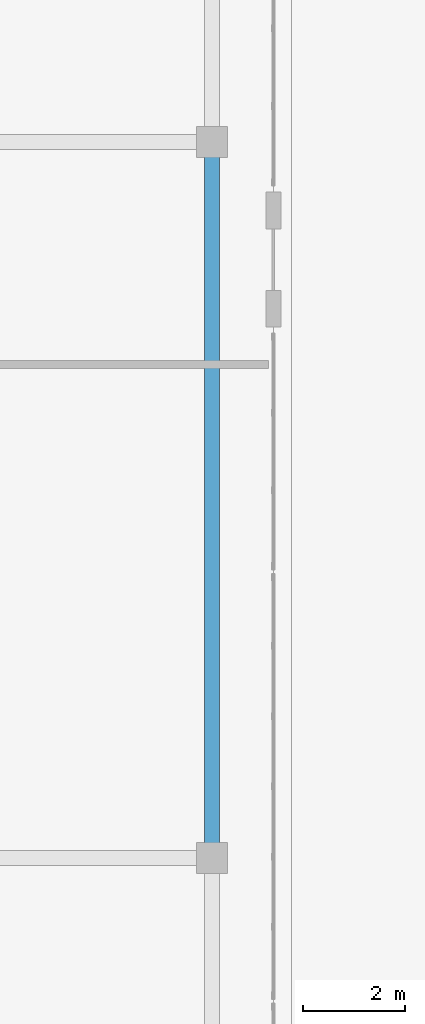
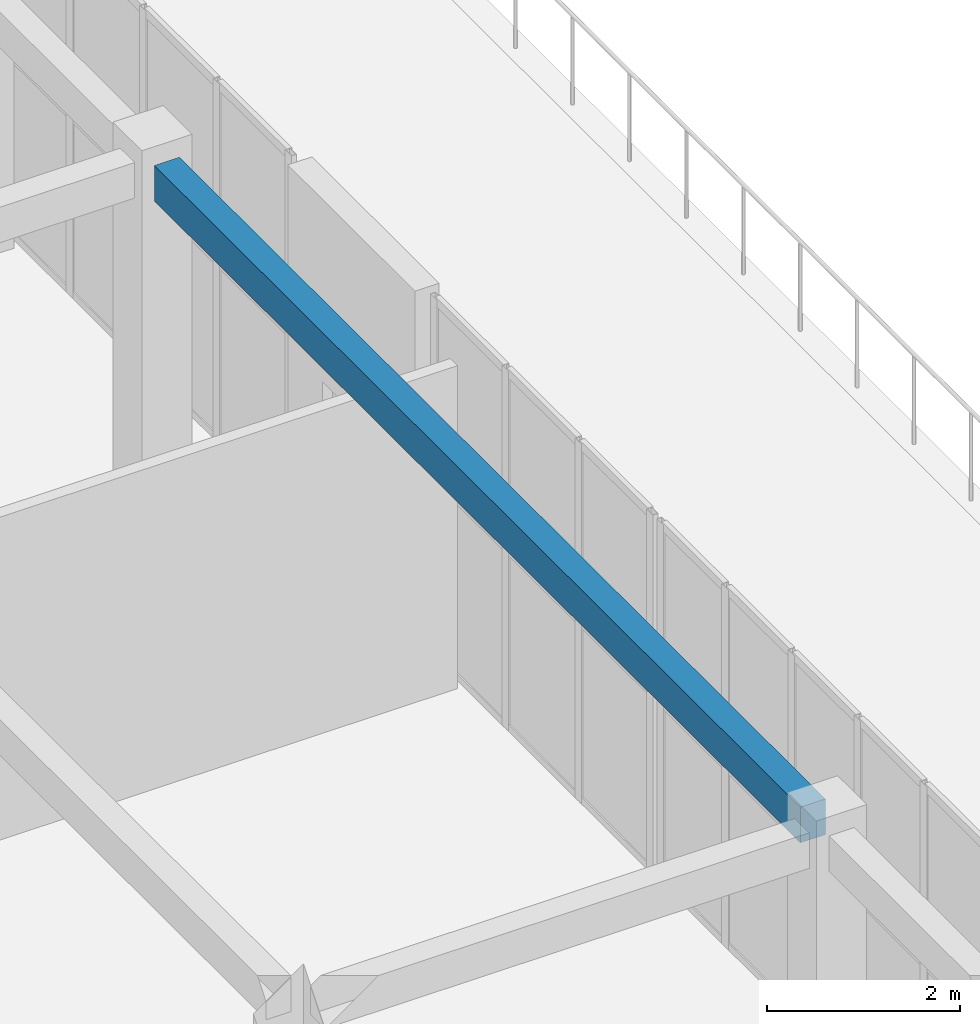
# One storey, part 51 of 158: 1 beam.
"""IFC4 building model written with IfcOpenShell, lengths in metres."""

import ifcopenshell
import ifcopenshell.guid

model = None  # the IFC model being written
_history = None  # IfcOwnerHistory: only IFC2X3 demands one
_inside = {}  # id of a spatial element -> (the spatial element, [elements in it])
_under = {}  # id of a project, library or spatial element -> (it, [spatial elements below it])
_declared = {}  # id of a project -> (the project, [libraries it declares])
_typed = {}  # id of a type object -> (the type object, [elements of that type])
_made_of = {}  # id of a material, layer set ... -> (it, [elements and type objects made of it])


def new_model(schema):
    """Start an empty IFC model of exactly this schema.

    Asked for "IFC4X3", IfcOpenShell would pick the latest addendum, in which some entities
    have other attributes; the version numbers below select the first issue.
    IFC2X3 requires an IfcOwnerHistory on every rooted entity: one is made here for all.
    """
    global model, _history
    if schema == "IFC4X3":
        model = ifcopenshell.file(schema_version=(4, 3, 0, 0))
    else:
        model = ifcopenshell.file(schema=schema)
    _inside.clear()
    _under.clear()
    _declared.clear()
    _typed.clear()
    _made_of.clear()
    _history = None
    if model.schema == "IFC2X3":
        org = make("IfcOrganization", Name="unknown")
        user = make(
            "IfcPersonAndOrganization",
            ThePerson=make("IfcPerson", FamilyName="unknown"),
            TheOrganization=org,
        )
        app = make(
            "IfcApplication",
            ApplicationDeveloper=org,
            Version="unknown",
            ApplicationFullName="unknown",
            ApplicationIdentifier="unknown",
        )
        _history = make(
            "IfcOwnerHistory",
            OwningUser=user,
            OwningApplication=app,
            ChangeAction="ADDED",
            CreationDate=0,
        )
    return model


def make(cls, **values):
    """One entity of the class cls with the attributes given. An attribute that is None is left unset."""
    return model.create_entity(
        cls, **{name: value for name, value in values.items() if value is not None}
    )


def rooted(cls, **values):
    """An entity with a GlobalId (a new one), such as an element, a storey or a relation."""
    return make(cls, GlobalId=ifcopenshell.guid.new(), OwnerHistory=_history, **values)


def si_unit(unit_type, name, prefix=None):
    """IfcSIUnit, for example si_unit("LENGTHUNIT", "METRE", prefix="MILLI")."""
    return make("IfcSIUnit", UnitType=unit_type, Prefix=prefix, Name=name)


def assignment(units):
    """IfcUnitAssignment: the units of a project."""
    return None if units is None else make("IfcUnitAssignment", Units=units)


def point(xyz):
    """IfcCartesianPoint."""
    return None if xyz is None else make("IfcCartesianPoint", Coordinates=xyz)


def direction(xyz):
    """IfcDirection."""
    return None if xyz is None else make("IfcDirection", DirectionRatios=xyz)


def frame(location, z_axis=None, x_axis=None):
    """IfcAxis2Placement3D, a coordinate frame: its origin and axes. An axis left out is left unset."""
    return make(
        "IfcAxis2Placement3D",
        Location=point(location),
        Axis=direction(z_axis),
        RefDirection=direction(x_axis),
    )


def frame_2d(location, x_axis=None):
    """IfcAxis2Placement2D, a coordinate frame in the plane: its origin and x axis."""
    return make(
        "IfcAxis2Placement2D", Location=point(location), RefDirection=direction(x_axis)
    )


def origin():
    """The frame at (0, 0, 0) with its axes left unset."""
    return frame((0.0, 0.0, 0.0))


def origin_2d():
    """The frame at (0, 0) in the plane with its x axis left unset."""
    return frame_2d((0.0, 0.0))


def place(relative_to, where):
    """IfcLocalPlacement: puts the frame where relative to a parent placement (None: the world)."""
    return make(
        "IfcLocalPlacement", PlacementRelTo=relative_to, RelativePlacement=where
    )


def context(
    kind, dimensions, precision=None, world=None, true_north=None, identifier=None
):
    """IfcGeometricRepresentationContext, for example the 3D "Model" context."""
    return make(
        "IfcGeometricRepresentationContext",
        ContextIdentifier=identifier,
        ContextType=kind,
        CoordinateSpaceDimension=dimensions,
        Precision=precision,
        WorldCoordinateSystem=world,
        TrueNorth=true_north,
    )


def subcontext(parent, identifier, kind, view, scale=None):
    """IfcGeometricRepresentationSubContext, for example "Body" below "Model"."""
    return make(
        "IfcGeometricRepresentationSubContext",
        ContextIdentifier=identifier,
        ContextType=kind,
        ParentContext=parent,
        TargetScale=scale,
        TargetView=view,
    )


def project(units=None, contexts=None):
    """IfcProject with its units and contexts."""
    return rooted(
        "IfcProject",
        Name="project",
        RepresentationContexts=contexts,
        UnitsInContext=assignment(units),
    )


def spatial(cls, under=None, at=None, **own):
    """A site, building, storey or space (cls), placed at a placement, below another one or the project."""
    s = rooted(cls, ObjectPlacement=at, **own)
    if under is not None:
        _under.setdefault(under.id(), (under, []))[1].append(s)
    return s


def profile(cls, at=None, kind="AREA", **sizes):
    """A parametric profile (cls). Its sizes go by their IFC names, for example OverallWidth=200.0."""
    return make(cls, ProfileType=kind, Position=at, **sizes)


def rectangle(**sizes):
    """IfcRectangleProfileDef."""
    return profile("IfcRectangleProfileDef", **sizes)


def extrude(swept, where, along, depth):
    """IfcExtrudedAreaSolid: the profile swept, set in the frame where, extruded along a direction by depth."""
    return make(
        "IfcExtrudedAreaSolid",
        SweptArea=swept,
        Position=where,
        ExtrudedDirection=direction(along),
        Depth=depth,
    )


def shape(context_of_items, identifier, shape_type, items):
    """IfcShapeRepresentation: the items that make up one representation, for example the "Body"."""
    return make(
        "IfcShapeRepresentation",
        ContextOfItems=context_of_items,
        RepresentationIdentifier=identifier,
        RepresentationType=shape_type,
        Items=items,
    )


def material(Name=None, Category=None):
    """IfcMaterial."""
    return make("IfcMaterial", Name=Name, Category=Category)


def material_profile(
    of_material, cross_section, Name=None, Category=None, Priority=None
):
    """IfcMaterialProfile: a cross section and its material."""
    return make(
        "IfcMaterialProfile",
        Name=Name,
        Material=of_material,
        Profile=cross_section,
        Priority=Priority,
        Category=Category,
    )


def profile_set(profiles, Name=None, composite=None):
    """IfcMaterialProfileSet."""
    return make(
        "IfcMaterialProfileSet",
        Name=Name,
        MaterialProfiles=profiles,
        CompositeProfile=composite,
    )


def made_of(thing, what):
    """Note that an element or type object is made of a material, layer set ...; save() writes the relation."""
    if what is not None:
        _made_of.setdefault(what.id(), (what, []))[1].append(thing)
    return thing


def type_object(cls, material=None, **own):
    """A type object (cls), such as IfcWallType, which elements share."""
    return made_of(rooted(cls, **own), material)


def element(
    cls,
    number,
    at=None,
    inside=None,
    cuts=None,
    type_object=None,
    material=None,
    context=None,
    identifier="Body",
    shape_type=None,
    held_by="IfcProductDefinitionShape",
    body=None,
    shapes=None,
    **own,
):
    """One element of the class cls, such as IfcWall. Its Tag is "e" and its number.

    at: its placement. inside: the storey or other place that contains it. cuts: it is an
    opening in that element (IfcRelVoidsElement). A single representation is given by context,
    identifier, shape_type and body (its items); several are given by shapes. held_by: the class
    of the entity that holds the representations. save() writes the other relations.
    """
    e = rooted(cls, Tag="e%d" % number, ObjectPlacement=at, **own)
    if body is not None:
        shapes = [shape(context, identifier, shape_type, body)]
    if shapes is not None:
        e.Representation = make(held_by, Representations=shapes)
    if inside is not None:
        _inside.setdefault(inside.id(), (inside, []))[1].append(e)
    if cuts is not None:
        rooted(
            "IfcRelVoidsElement", RelatingBuildingElement=cuts, RelatedOpeningElement=e
        )
    if type_object is not None:
        _typed.setdefault(type_object.id(), (type_object, []))[1].append(e)
    return made_of(e, material)


def aggregate(whole, parts):
    """IfcRelAggregates: a whole, such as a stair, and the parts it consists of."""
    return rooted("IfcRelAggregates", RelatingObject=whole, RelatedObjects=parts)


def save(model, path):
    """Write the relations noted so far, then the file.

    IfcRelAggregates (storeys below a building ...), IfcRelContainedInSpatialStructure (elements
    in a storey), IfcRelDefinesByType, IfcRelAssociatesMaterial and IfcRelDeclares: one each for
    every whole, place, type object, material and project.
    """
    for whole, parts in _under.values():
        aggregate(whole, parts)
    for where, things in _inside.values():
        rooted(
            "IfcRelContainedInSpatialStructure",
            RelatedElements=things,
            RelatingStructure=where,
        )
    for kind, things in _typed.values():
        rooted("IfcRelDefinesByType", RelatedObjects=things, RelatingType=kind)
    for what, things in _made_of.values():
        rooted("IfcRelAssociatesMaterial", RelatedObjects=things, RelatingMaterial=what)
    for by, libraries in _declared.values():
        rooted("IfcRelDeclares", RelatingContext=by, RelatedDefinitions=libraries)
    model.write(path)


model = new_model("IFC4")

# Units and contexts
model_context = context("Model", 3, precision=1e-05, world=origin(), true_north=direction((0.0, 1.0)))
body_context = subcontext(model_context, "Body", "Model", "MODEL_VIEW")
ifc_project = project(units=[si_unit("LENGTHUNIT", "METRE"), si_unit("AREAUNIT", "SQUARE_METRE"), si_unit("VOLUMEUNIT", "CUBIC_METRE"), si_unit("PLANEANGLEUNIT", "RADIAN"), si_unit("MASSUNIT", "GRAM", prefix="KILO")], contexts=[model_context])

# Site, building, storey
site_placement = place(None, origin())
site = spatial("IfcSite", under=ifc_project, at=site_placement, CompositionType="ELEMENT")
building_placement = place(site_placement, origin())
building = spatial("IfcBuilding", under=site, at=building_placement, Name="Trelvath General Hospital", CompositionType="ELEMENT")
storey_placement = place(building_placement, frame((0.0, 0.0, 8.10009765625)))
storey = spatial("IfcBuildingStorey", under=building, at=storey_placement, Name="L02", CompositionType="ELEMENT", Elevation=8.10009765625)

# Beam
ifc_material = material(Name="Concrete C35/45", Category="concrete")
ifc_material_profile = material_profile(ifc_material, rectangle(XDim=0.300048828125, YDim=0.449951171875, at=origin_2d()), Name="RCB300x450")
ifc_profile_set = profile_set([ifc_material_profile], Name="Concrete C35/45")
beam_type = type_object("IfcBeamType", Name="Beam RC300x450", PredefinedType="BEAM", material=ifc_profile_set)
beam_placement = place(storey_placement, frame((113.60009765625, 45.095947265625, 4.3349609375), z_axis=(0.0, 1.0, 0.0), x_axis=(-1.0, 0.0, 0.0)))
element("IfcBeam", 1, at=beam_placement, inside=storey, type_object=beam_type, Name="Cube Interior Ring Beam CUBE-E-T1 L02", PredefinedType="BEAM", context=body_context, shape_type="SweptSolid", body=[
    extrude(rectangle(XDim=0.300048828125, YDim=0.449951171875, at=origin_2d()), origin(), (0.0, 0.0, 1.0), 13.407958984375),
])

save(model, "model.ifc")
